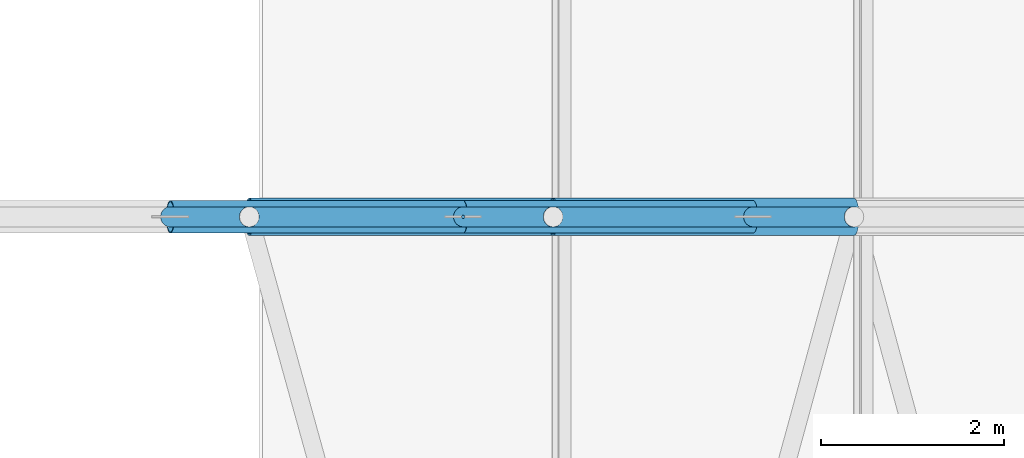
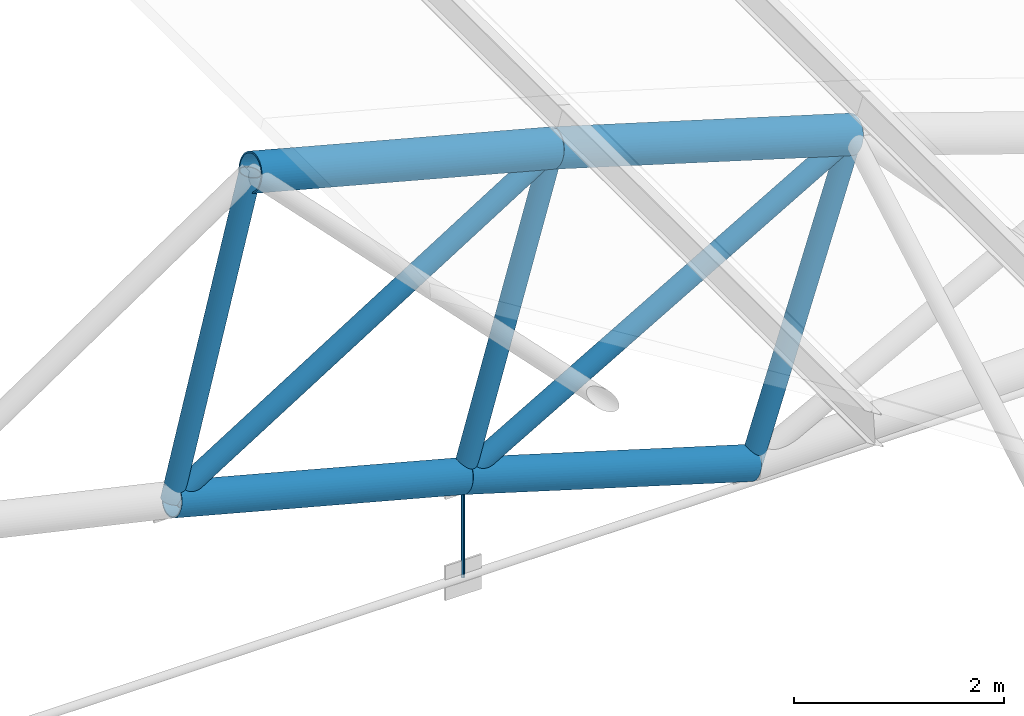
# One storey, part 95 of 321: 10 members.
"""IFC4 building model written with IfcOpenShell, lengths in metres."""

from ifc_helpers import new_model, si_unit, direction, frame, origin, origin_2d, place, context, subcontext, project, spatial, circle, hollow_circle, extrude, material, material_profile, profile_set, type_object, element, save


model = new_model("IFC4")

# Units and contexts
model_context = context("Model", 3, precision=1e-05, world=origin(), true_north=direction((0.0, 1.0)))
body_context = subcontext(model_context, "Body", "Model", "MODEL_VIEW")
ifc_project = project(units=[si_unit("LENGTHUNIT", "METRE"), si_unit("AREAUNIT", "SQUARE_METRE"), si_unit("VOLUMEUNIT", "CUBIC_METRE"), si_unit("PLANEANGLEUNIT", "RADIAN"), si_unit("MASSUNIT", "GRAM", prefix="KILO")], contexts=[model_context])

# Site, building, storey
site_placement = place(None, origin())
site = spatial("IfcSite", under=ifc_project, at=site_placement, CompositionType="ELEMENT")
building_placement = place(site_placement, origin())
building = spatial("IfcBuilding", under=site, at=building_placement, Name="Ravi Spectrum Wholesale Market", CompositionType="ELEMENT")
storey_placement = place(building_placement, frame((0.0, 0.0, 10.800048828125)))
storey = spatial("IfcBuildingStorey", under=building, at=storey_placement, Name="L02", CompositionType="ELEMENT", Elevation=10.800048828125)

# Members
ifc_material_1 = material(Name="Steel S355", Category="steel")
ifc_material_profile_1 = material_profile(ifc_material_1, hollow_circle(Radius=0.109619140625, WallThickness=0.008056640625, at=origin_2d()))
ifc_profile_set_1 = profile_set([ifc_material_profile_1], Name="Steel S355")
member_type_1 = type_object("IfcMemberType", Name="CHS 219.1x8 brace", PredefinedType="BRACE", material=ifc_profile_set_1)
for number, where, z_axis, x_axis, name in (
    (1, (97.096923828125, 78.0, 4.63671875), (-0.847368909482, 0.0, -0.531004643335), (0.0, -1.0, 0.0), "H1-MB-L02-414"),
    (2, (100.380615234375, 78.0, 3.645263671875), (-0.865160555252, 0.0, -0.501494978675), (0.0, -1.0, 0.0), "H1-MB-L02-415"),
):
    element("IfcMember", number, at=place(storey_placement, frame(where, z_axis=z_axis, x_axis=x_axis)), inside=storey, type_object=member_type_1, Name=name, PredefinedType="BRACE", context=body_context, shape_type="SweptSolid", body=[
        extrude(hollow_circle(Radius=0.109619140625, WallThickness=0.008056640625, at=origin_2d()), origin(), (0.0, 0.0, 1.0), 4.9296875),
    ])
ifc_material_2 = material(Name="Steel S355", Category="steel")
ifc_material_profile_2 = material_profile(ifc_material_2, hollow_circle(Radius=0.109619140625, WallThickness=0.008056640625, at=origin_2d()))
ifc_profile_set_2 = profile_set([ifc_material_profile_2], Name="Steel S355")
member_type_2 = type_object("IfcMemberType", Name="CHS 219.1x8 post", PredefinedType="POST", material=ifc_profile_set_2)
for number, where, z_axis, x_axis, name in (
    (3, (93.78076171875, 78.0, 5.514404296875), (-0.239199072456, 0.0, -0.970970547306), (0.0, -1.0, 0.0), "H1-MB-L02-391"),
    (4, (97.096923828125, 78.0, 4.63671875), (-0.272561766134, 0.0, -0.962138287172), (0.0, -1.0, 0.0), "H1-MB-L02-392"),
):
    element("IfcMember", number, at=place(storey_placement, frame(where, z_axis=z_axis, x_axis=x_axis)), inside=storey, type_object=member_type_2, Name=name, PredefinedType="POST", context=body_context, shape_type="SweptSolid", body=[
        extrude(hollow_circle(Radius=0.109619140625, WallThickness=0.008056640625, at=origin_2d()), origin(), (0.0, 0.0, 1.0), 3.599853515625),
    ])
member_1_placement = place(storey_placement, frame((100.380615234375, 78.0, 3.645263671875), z_axis=(-0.305506444581, 0.0, -0.952190008517), x_axis=(0.0, -1.0, 0.0)))
element("IfcMember", 5, at=member_1_placement, inside=storey, type_object=member_type_2, Name="H1-MB-L02-393", PredefinedType="POST", context=body_context, shape_type="SweptSolid", body=[
    extrude(hollow_circle(Radius=0.109619140625, WallThickness=0.008056640625, at=origin_2d()), origin(), (0.0, 0.0, 1.0), 3.60009765625),
])
ifc_material_3 = material(Name="Steel S355", Category="steel")
ifc_material_profile_3 = material_profile(ifc_material_3, hollow_circle(Radius=0.177734375, WallThickness=0.012451171875, at=origin_2d()))
ifc_profile_set_3 = profile_set([ifc_material_profile_3], Name="Steel S355")
member_type_3 = type_object("IfcMemberType", Name="CHS 355.6x12.5 chord", PredefinedType="CHORD", material=ifc_profile_set_3)
for number, where, z_axis, x_axis, name in (
    (6, (92.919677734375, 78.0, 2.01904296875), (0.966710063159, 0.0, -0.255874292938), (0.0, 1.0, 0.0), "H1-MB-L02-368"),
    (7, (96.11572265625, 78.0, 1.173095703125), (0.957300337613, 0.0, -0.289095250058), (0.0, 1.0, 0.0), "H1-MB-L02-369"),
):
    element("IfcMember", number, at=place(storey_placement, frame(where, z_axis=z_axis, x_axis=x_axis)), inside=storey, type_object=member_type_3, Name=name, PredefinedType="CHORD", context=body_context, shape_type="SweptSolid", body=[
        extrude(hollow_circle(Radius=0.177734375, WallThickness=0.012451171875, at=origin_2d()), origin(), (0.0, 0.0, 1.0), 3.30615234375),
    ])
ifc_material_4 = material(Name="Steel S355", Category="steel")
ifc_material_profile_4 = material_profile(ifc_material_4, hollow_circle(Radius=0.203125, WallThickness=0.01611328125, at=origin_2d()))
ifc_profile_set_4 = profile_set([ifc_material_profile_4], Name="Steel S355")
member_type_4 = type_object("IfcMemberType", Name="CHS 406.4x16 chord", PredefinedType="CHORD", material=ifc_profile_set_4)
member_2_placement = place(storey_placement, frame((93.78076171875, 78.0, 5.514404296875), z_axis=(0.966714030155, 0.0, -0.255859304896), x_axis=(0.0, 1.0, 0.0)))
element("IfcMember", 8, at=member_2_placement, inside=storey, type_object=member_type_4, Name="H1-MB-L02-344", PredefinedType="CHORD", context=body_context, shape_type="SweptSolid", body=[
    extrude(hollow_circle(Radius=0.203125, WallThickness=0.01611328125, at=origin_2d()), origin(), (0.0, 0.0, 1.0), 3.430419921875),
])
member_3_placement = place(storey_placement, frame((97.096923828125, 78.0, 4.63671875), z_axis=(0.957315448633, 0.0, -0.289045207204), x_axis=(0.0, 1.0, 0.0)))
element("IfcMember", 9, at=member_3_placement, inside=storey, type_object=member_type_4, Name="H1-MB-L02-345", PredefinedType="CHORD", context=body_context, shape_type="SweptSolid", body=[
    extrude(hollow_circle(Radius=0.203125, WallThickness=0.01611328125, at=origin_2d()), origin(), (0.0, 0.0, 1.0), 3.43017578125),
])
ifc_material_5 = material(Name="Steel S355", Category="steel")
ifc_material_profile_5 = material_profile(ifc_material_5, circle(Radius=0.01806640625, at=origin_2d()))
ifc_profile_set_5 = profile_set([ifc_material_profile_5], Name="Steel S355")
member_type_5 = type_object("IfcMemberType", Name="ROD 36 hanger", PredefinedType="STRUT", material=ifc_profile_set_5)
member_4_placement = place(storey_placement, frame((96.11572265625, 78.0, 0.0), z_axis=(0.0, 0.0, 1.0), x_axis=(1.0, 0.0, 0.0)))
element("IfcMember", 10, at=member_4_placement, inside=storey, type_object=member_type_5, Name="H1-MB-L02-423", PredefinedType="STRUT", context=body_context, shape_type="SweptSolid", body=[
    extrude(circle(Radius=0.01806640625, at=origin_2d()), origin(), (0.0, 0.0, 1.0), 1.173095703125),
])

save(model, "model.ifc")
